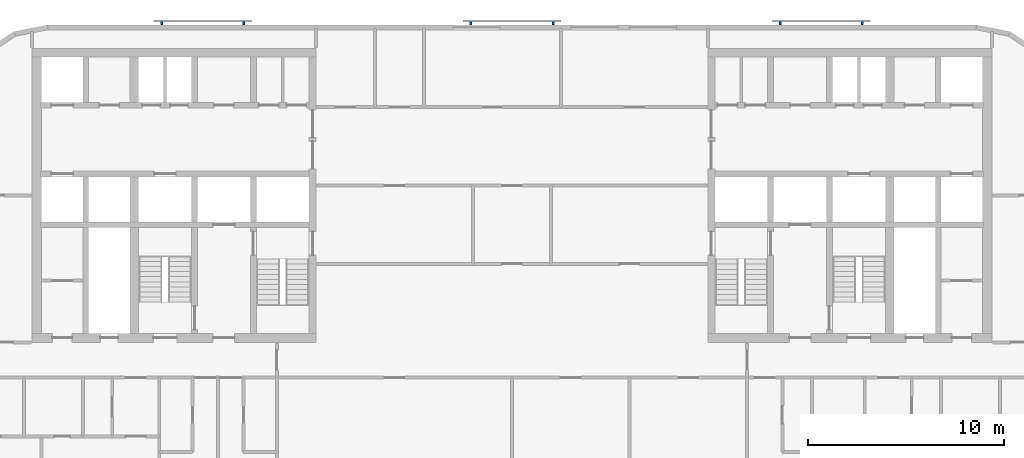
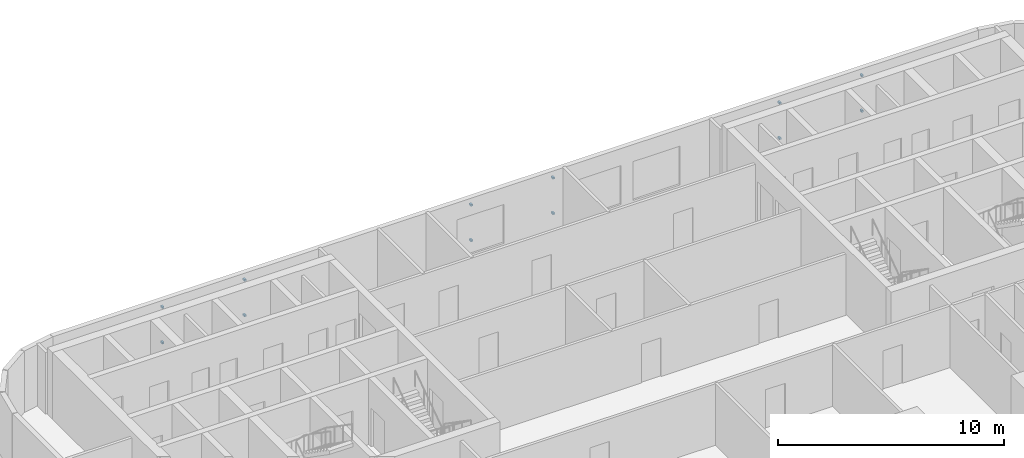
# One storey, part 9 of 12: 12 discrete accessories.
"""IFC4 building model written with IfcOpenShell, lengths in metres."""

from ifc_helpers import new_model, si_unit, direction, frame, origin, origin_2d, place, context, subcontext, project, spatial, rectangle, extrude, material, type_object, element, save


model = new_model("IFC4")

# Units and contexts
model_context = context("Model", 3, precision=1e-05, world=origin(), true_north=direction((0.0, 1.0)))
body_context = subcontext(model_context, "Body", "Model", "MODEL_VIEW")
ifc_project = project(units=[si_unit("LENGTHUNIT", "METRE"), si_unit("AREAUNIT", "SQUARE_METRE"), si_unit("VOLUMEUNIT", "CUBIC_METRE"), si_unit("PLANEANGLEUNIT", "RADIAN"), si_unit("MASSUNIT", "GRAM", prefix="KILO")], contexts=[model_context])

# Site, building, storey
site_placement = place(None, origin())
site = spatial("IfcSite", under=ifc_project, at=site_placement, CompositionType="ELEMENT")
building_placement = place(site_placement, origin())
building = spatial("IfcBuilding", under=site, at=building_placement, Name="Torana Hotel and Residences", CompositionType="ELEMENT")
storey_placement = place(building_placement, frame((0.0, 0.0, 112.800048828125)))
storey = spatial("IfcBuildingStorey", under=building, at=storey_placement, Name="L28", CompositionType="ELEMENT", Elevation=112.800048828125)

# Discrete accessories
ifc_material = material(Name="Steel S355", Category="steel")
discrete_accessory_type = type_object("IfcDiscreteAccessoryType", Name="SCREEN BRACKET 100", PredefinedType="BRACKET", material=ifc_material)
for number, where, z_axis, x_axis, name in (
    (1, (17.883544921875, 1.27490234375, 0.75), (0.0, 0.0, 1.0), (-1.0, 0.0, 0.0), "Screen bracket L28"),
    (2, (17.883544921875, 1.27490234375, 2.669921875), (0.0, 0.0, 1.0), (-1.0, 0.0, 0.0), "Screen bracket L28"),
    (3, (13.68359375, 1.27490234375, 0.75), (0.0, 0.0, 1.0), (-1.0, 0.0, 0.0), "Screen bracket L28"),
    (4, (13.68359375, 1.27490234375, 2.669921875), (0.0, 0.0, 1.0), (-1.0, 0.0, 0.0), "Screen bracket L28"),
    (5, (2.10009765625, 1.27490234375, 0.75), (0.0, 0.0, 1.0), (-1.0, 0.0, 0.0), "Screen bracket L28"),
    (6, (2.10009765625, 1.27490234375, 2.669921875), (0.0, 0.0, 1.0), (-1.0, 0.0, 0.0), "Screen bracket L28"),
    (7, (-2.10009765625, 1.27490234375, 0.75), (0.0, 0.0, 1.0), (-1.0, 0.0, 0.0), "Screen bracket L28"),
    (8, (-2.10009765625, 1.27490234375, 2.669921875), (0.0, 0.0, 1.0), (-1.0, 0.0, 0.0), "Screen bracket L28"),
    (9, (-13.68359375, 1.27490234375, 0.75), (0.0, 0.0, 1.0), (-1.0, 0.0, 0.0), "Screen bracket L28"),
    (10, (-13.68359375, 1.27490234375, 2.669921875), (0.0, 0.0, 1.0), (-1.0, 0.0, 0.0), "Screen bracket L28"),
    (11, (-17.883544921875, 1.27490234375, 0.75), (0.0, 0.0, 1.0), (-1.0, 0.0, 0.0), "Screen bracket L28"),
    (12, (-17.883544921875, 1.27490234375, 2.669921875), (0.0, 0.0, 1.0), (-1.0, 0.0, 0.0), "Screen bracket L28"),
):
    element("IfcDiscreteAccessory", number, at=place(storey_placement, frame(where, z_axis=z_axis, x_axis=x_axis)), inside=storey, type_object=discrete_accessory_type, Name=name, PredefinedType="BRACKET", context=body_context, shape_type="SweptSolid", body=[
        extrude(rectangle(XDim=0.10009765625, YDim=0.14990234375, at=origin_2d()), origin(), (0.0, 0.0, 1.0), 0.10009765625),
    ])

save(model, "model.ifc")
